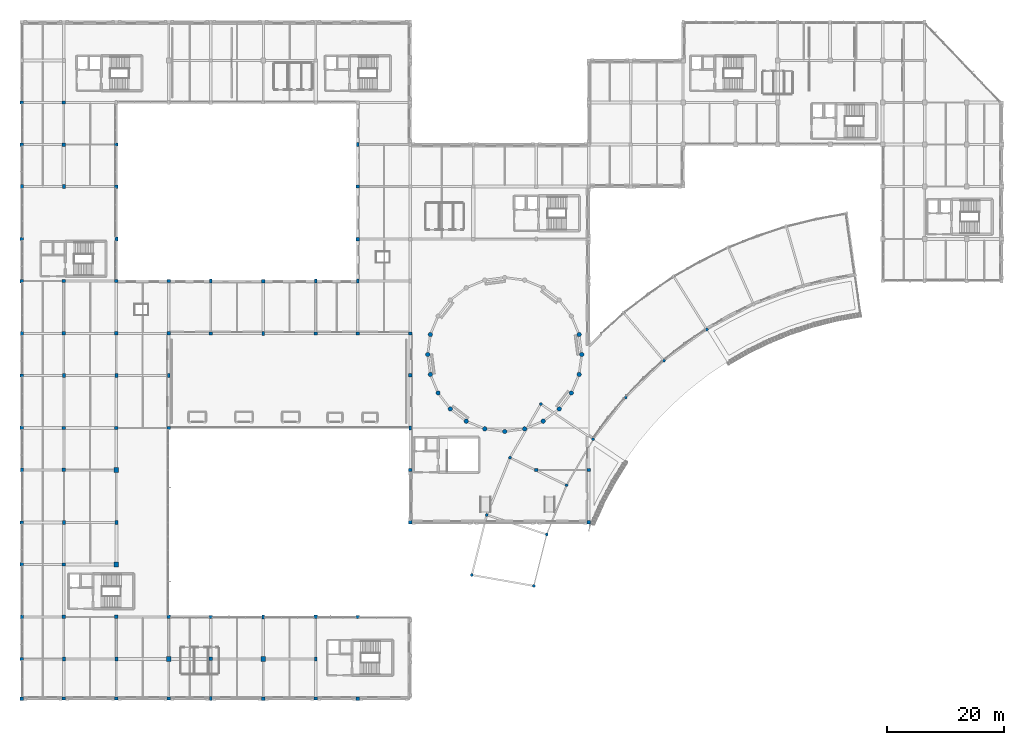
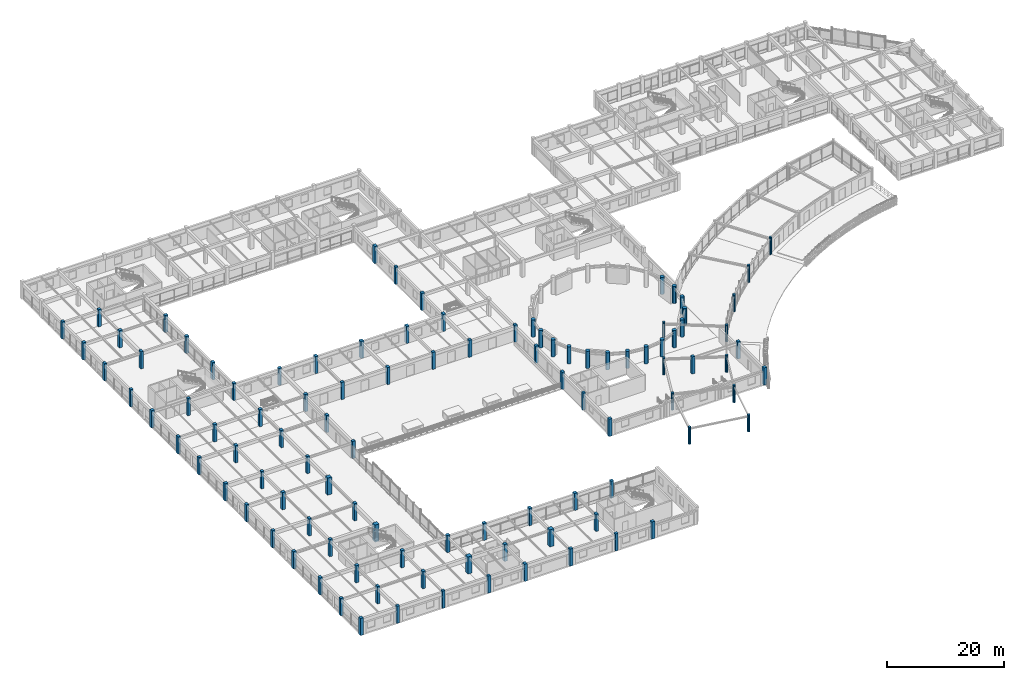
# One storey, part 1 of 74: 103 columns.
"""IFC4 building model written with IfcOpenShell, lengths in metres."""

from ifc_helpers import new_model, si_unit, direction, frame, origin, origin_2d, place, context, subcontext, project, spatial, rectangle, circle, extrude, material, material_profile, profile_set, type_object, element, save


model = new_model("IFC4")

# Units and contexts
model_context = context("Model", 3, precision=1e-05, world=origin(), true_north=direction((0.0, 1.0)))
body_context = subcontext(model_context, "Body", "Model", "MODEL_VIEW")
ifc_project = project(units=[si_unit("LENGTHUNIT", "METRE"), si_unit("AREAUNIT", "SQUARE_METRE"), si_unit("VOLUMEUNIT", "CUBIC_METRE"), si_unit("PLANEANGLEUNIT", "RADIAN"), si_unit("MASSUNIT", "GRAM", prefix="KILO")], contexts=[model_context])

# Site, building, storey
site_placement = place(None, origin())
site = spatial("IfcSite", under=ifc_project, at=site_placement, CompositionType="ELEMENT")
building_placement = place(site_placement, origin())
building = spatial("IfcBuilding", under=site, at=building_placement, Name="Clarverna Civic Hall", CompositionType="ELEMENT")
storey_placement = place(building_placement, frame((0.0, 0.0, 9.60009765625)))
storey = spatial("IfcBuildingStorey", under=building, at=storey_placement, Name="L02", CompositionType="ELEMENT", Elevation=9.60009765625)

# Columns
ifc_material_1 = material(Name="Concrete C35/45", Category="concrete")
ifc_material_profile_1 = material_profile(ifc_material_1, circle(Radius=0.25, at=origin_2d()), Name="RC D500")
ifc_profile_set_1 = profile_set([ifc_material_profile_1], Name="Concrete C35/45")
column_type_1 = type_object("IfcColumnType", Name="C-CV3", PredefinedType="COLUMN", material=ifc_profile_set_1)
for number, where, z_axis, x_axis, name in (
    (1, (117.44921875, 63.292724609375, 0.0), (0.0, 0.0, 1.0), (1.0, 0.0, 0.0), "C-CV3-004"),
    (2, (110.090087890625, 57.946044921875, 0.0), (0.0, 0.0, 1.0), (1.0, 0.0, 0.0), "C-CV3-005"),
    (3, (103.547119140625, 51.627197265625, 0.0), (0.0, 0.0, 1.0), (1.0, 0.0, 0.0), "C-CV3-006"),
    (4, (97.94677734375, 44.45947265625, 0.0), (0.0, 0.0, 1.0), (1.0, 0.0, 0.0), "C-CV3-007"),
    (5, (93.398681640625, 36.581787109375, 0.0), (0.0, 0.0, 1.0), (1.0, 0.0, 0.0), "C-CV3-008"),
    (6, (89.9912109375, 28.14794921875, 0.0), (0.0, 0.0, 1.0), (1.0, 0.0, 0.0), "C-CV3-009"),
    (7, (87.79052734375, 19.322021484375, 0.0), (0.0, 0.0, 1.0), (1.0, 0.0, 0.0), "C-CV3-010"),
    (8, (88.9931640625, 50.498779296875, 0.0), (0.0, 0.0, 1.0), (1.0, 0.0, 0.0), "C-CV3-016"),
    (9, (83.691650390625, 41.316162109375, 0.0), (0.0, 0.0, 1.0), (1.0, 0.0, 0.0), "C-CV3-017"),
    (10, (79.7197265625, 31.4853515625, 0.0), (0.0, 0.0, 1.0), (1.0, 0.0, 0.0), "C-CV3-018"),
    (11, (77.154541015625, 21.197265625, 0.0), (0.0, 0.0, 1.0), (1.0, 0.0, 0.0), "C-CV3-019"),
):
    element("IfcColumn", number, at=place(storey_placement, frame(where, z_axis=z_axis, x_axis=x_axis)), inside=storey, type_object=column_type_1, Name=name, PredefinedType="COLUMN", context=body_context, shape_type="SweptSolid", body=[
        extrude(circle(Radius=0.25, at=origin_2d()), origin(), (0.0, 0.0, 1.0), 3.599853515625),
    ])
ifc_material_profile_2 = material_profile(ifc_material_1, circle(Radius=0.375, at=origin_2d()), Name="RC D750")
ifc_profile_set_2 = profile_set([ifc_material_profile_2], Name="Concrete C35/45")
column_type_2 = type_object("IfcColumnType", Name="C-DR2", PredefinedType="COLUMN", material=ifc_profile_set_2)
for number, where, z_axis, x_axis, name in (
    (12, (96.0, 59.0, 0.0), (0.0, 0.0, 1.0), (1.0, 0.0, 0.0), "C-DR2-002"),
    (13, (95.55029296875, 62.41650390625, 0.0), (0.0, 0.0, 1.0), (1.0, 0.0, 0.0), "C-DR2-004"),
    (14, (70.0498046875, 62.41650390625, 0.0), (0.0, 0.0, 1.0), (1.0, 0.0, 0.0), "C-DR2-024"),
    (15, (69.60009765625, 59.0, 0.0), (0.0, 0.0, 1.0), (1.0, 0.0, 0.0), "C-DR2-026"),
    (16, (70.0498046875, 55.58349609375, 0.0), (0.0, 0.0, 1.0), (1.0, 0.0, 0.0), "C-DR2-028"),
    (17, (71.368408203125, 52.39990234375, 0.0), (0.0, 0.0, 1.0), (1.0, 0.0, 0.0), "C-DR2-030"),
    (18, (73.46630859375, 49.666259765625, 0.0), (0.0, 0.0, 1.0), (1.0, 0.0, 0.0), "C-DR2-032"),
    (19, (76.199951171875, 47.568603515625, 0.0), (0.0, 0.0, 1.0), (1.0, 0.0, 0.0), "C-DR2-034"),
    (20, (79.383544921875, 46.249755859375, 0.0), (0.0, 0.0, 1.0), (1.0, 0.0, 0.0), "C-DR2-036"),
    (21, (82.800048828125, 45.800048828125, 0.0), (0.0, 0.0, 1.0), (1.0, 0.0, 0.0), "C-DR2-038"),
    (22, (86.21630859375, 46.249755859375, 0.0), (0.0, 0.0, 1.0), (1.0, 0.0, 0.0), "C-DR2-040"),
    (23, (89.39990234375, 47.568603515625, 0.0), (0.0, 0.0, 1.0), (1.0, 0.0, 0.0), "C-DR2-042"),
    (24, (92.1337890625, 49.666259765625, 0.0), (0.0, 0.0, 1.0), (1.0, 0.0, 0.0), "C-DR2-044"),
    (25, (94.2314453125, 52.39990234375, 0.0), (0.0, 0.0, 1.0), (1.0, 0.0, 0.0), "C-DR2-046"),
    (26, (95.55029296875, 55.58349609375, 0.0), (0.0, 0.0, 1.0), (1.0, 0.0, 0.0), "C-DR2-048"),
):
    element("IfcColumn", number, at=place(storey_placement, frame(where, z_axis=z_axis, x_axis=x_axis)), inside=storey, type_object=column_type_2, Name=name, PredefinedType="COLUMN", context=body_context, shape_type="SweptSolid", body=[
        extrude(circle(Radius=0.375, at=origin_2d()), origin(), (0.0, 0.0, 1.0), 3.599853515625),
    ])
ifc_material_profile_3 = material_profile(ifc_material_1, rectangle(XDim=0.60009765625, YDim=0.60009765625, at=origin_2d()), Name="RC 600x600")
ifc_profile_set_3 = profile_set([ifc_material_profile_3], Name="Concrete C35/45")
column_type_3 = type_object("IfcColumnType", Name="C-RC10", PredefinedType="COLUMN", material=ifc_profile_set_3)
for number, where, z_axis, x_axis, name in (
    (27, (0.0, 0.0, 0.0), (0.0, 0.0, 1.0), (1.0, 0.0, 0.0), "C-RC10-001"),
    (28, (0.0, 23.0, 0.0), (0.0, 0.0, 1.0), (1.0, 0.0, 0.0), "C-RC10-002"),
    (29, (0.0, 46.39990234375, 0.0), (0.0, 0.0, 1.0), (1.0, 0.0, 0.0), "C-RC10-003"),
    (30, (0.0, 71.60009765625, 0.0), (0.0, 0.0, 1.0), (1.0, 0.0, 0.0), "C-RC10-004"),
    (31, (0.0, 95.0, 0.0), (0.0, 0.0, 1.0), (1.0, 0.0, 0.0), "C-RC10-005"),
    (32, (7.199951171875, 14.0, 0.0), (0.0, 0.0, 1.0), (1.0, 0.0, 0.0), "C-RC10-007"),
    (33, (7.199951171875, 39.199951171875, 0.0), (0.0, 0.0, 1.0), (1.0, 0.0, 0.0), "C-RC10-008"),
    (34, (7.199951171875, 62.60009765625, 0.0), (0.0, 0.0, 1.0), (1.0, 0.0, 0.0), "C-RC10-009"),
    (35, (7.199951171875, 95.0, 0.0), (0.0, 0.0, 1.0), (1.0, 0.0, 0.0), "C-RC10-010"),
    (36, (16.199951171875, 14.0, 0.0), (0.0, 0.0, 1.0), (1.0, 0.0, 0.0), "C-RC10-012"),
    (37, (16.199951171875, 62.60009765625, 0.0), (0.0, 0.0, 1.0), (1.0, 0.0, 0.0), "C-RC10-013"),
    (38, (16.199951171875, 87.800048828125, 0.0), (0.0, 0.0, 1.0), (1.0, 0.0, 0.0), "C-RC10-014"),
    (39, (25.199951171875, 14.0, 0.0), (0.0, 0.0, 1.0), (1.0, 0.0, 0.0), "C-RC10-016"),
    (40, (25.199951171875, 62.60009765625, 0.0), (0.0, 0.0, 1.0), (1.0, 0.0, 0.0), "C-RC10-017"),
    (41, (32.39990234375, 6.800048828125, 0.0), (0.0, 0.0, 1.0), (1.0, 0.0, 0.0), "C-RC10-018"),
    (42, (41.39990234375, 0.0, 0.0), (0.0, 0.0, 1.0), (1.0, 0.0, 0.0), "C-RC10-020"),
    (43, (41.39990234375, 71.60009765625, 0.0), (0.0, 0.0, 1.0), (1.0, 0.0, 0.0), "C-RC10-021"),
    (44, (50.39990234375, 14.0, 0.0), (0.0, 0.0, 1.0), (1.0, 0.0, 0.0), "C-RC10-023"),
    (45, (57.60009765625, 0.0, 0.0), (0.0, 0.0, 1.0), (1.0, 0.0, 0.0), "C-RC10-025"),
    (46, (57.60009765625, 78.800048828125, 0.0), (0.0, 0.0, 1.0), (1.0, 0.0, 0.0), "C-RC10-026"),
    (47, (66.60009765625, 30.199951171875, 0.0), (0.0, 0.0, 1.0), (1.0, 0.0, 0.0), "C-RC10-028"),
    (48, (66.60009765625, 55.39990234375, 0.0), (0.0, 0.0, 1.0), (1.0, 0.0, 0.0), "C-RC10-029"),
    (49, (97.199951171875, 30.199951171875, 0.0), (0.0, 0.0, 1.0), (1.0, 0.0, 0.0), "C-RC10-034"),
):
    element("IfcColumn", number, at=place(storey_placement, frame(where, z_axis=z_axis, x_axis=x_axis)), inside=storey, type_object=column_type_3, Name=name, PredefinedType="COLUMN", context=body_context, shape_type="SweptSolid", body=[
        extrude(rectangle(XDim=0.60009765625, YDim=0.60009765625, at=origin_2d()), origin(), (0.0, 0.0, 1.0), 3.599853515625),
    ])
ifc_material_profile_4 = material_profile(ifc_material_1, rectangle(XDim=0.550048828125, YDim=0.550048828125, at=origin_2d()), Name="RC 550x550")
ifc_profile_set_4 = profile_set([ifc_material_profile_4], Name="Concrete C35/45")
column_type_4 = type_object("IfcColumnType", Name="C-RC11", PredefinedType="COLUMN", material=ifc_profile_set_4)
for number, where, z_axis, x_axis, name in (
    (50, (0.0, 6.800048828125, 0.0), (0.0, 0.0, 1.0), (1.0, 0.0, 0.0), "C-RC11-001"),
    (51, (0.0, 30.199951171875, 0.0), (0.0, 0.0, 1.0), (1.0, 0.0, 0.0), "C-RC11-002"),
    (52, (0.0, 55.39990234375, 0.0), (0.0, 0.0, 1.0), (1.0, 0.0, 0.0), "C-RC11-003"),
    (53, (0.0, 78.800048828125, 0.0), (0.0, 0.0, 1.0), (1.0, 0.0, 0.0), "C-RC11-004"),
    (54, (0.0, 102.199951171875, 0.0), (0.0, 0.0, 1.0), (1.0, 0.0, 0.0), "C-RC11-005"),
    (55, (7.199951171875, 0.0, 0.0), (0.0, 0.0, 1.0), (1.0, 0.0, 0.0), "C-RC11-006"),
    (56, (7.199951171875, 23.0, 0.0), (0.0, 0.0, 1.0), (1.0, 0.0, 0.0), "C-RC11-007"),
    (57, (7.199951171875, 46.39990234375, 0.0), (0.0, 0.0, 1.0), (1.0, 0.0, 0.0), "C-RC11-008"),
    (58, (7.199951171875, 71.60009765625, 0.0), (0.0, 0.0, 1.0), (1.0, 0.0, 0.0), "C-RC11-009"),
    (59, (7.199951171875, 102.199951171875, 0.0), (0.0, 0.0, 1.0), (1.0, 0.0, 0.0), "C-RC11-010"),
    (60, (16.199951171875, 0.0, 0.0), (0.0, 0.0, 1.0), (1.0, 0.0, 0.0), "C-RC11-011"),
    (61, (16.199951171875, 46.39990234375, 0.0), (0.0, 0.0, 1.0), (1.0, 0.0, 0.0), "C-RC11-012"),
    (62, (16.199951171875, 71.60009765625, 0.0), (0.0, 0.0, 1.0), (1.0, 0.0, 0.0), "C-RC11-013"),
    (63, (16.199951171875, 95.0, 0.0), (0.0, 0.0, 1.0), (1.0, 0.0, 0.0), "C-RC11-014"),
    (64, (25.199951171875, 0.0, 0.0), (0.0, 0.0, 1.0), (1.0, 0.0, 0.0), "C-RC11-015"),
    (65, (25.199951171875, 46.39990234375, 0.0), (0.0, 0.0, 1.0), (1.0, 0.0, 0.0), "C-RC11-016"),
    (66, (25.199951171875, 71.60009765625, 0.0), (0.0, 0.0, 1.0), (1.0, 0.0, 0.0), "C-RC11-017"),
    (67, (32.39990234375, 14.0, 0.0), (0.0, 0.0, 1.0), (1.0, 0.0, 0.0), "C-RC11-019"),
    (68, (32.39990234375, 62.60009765625, 0.0), (0.0, 0.0, 1.0), (1.0, 0.0, 0.0), "C-RC11-020"),
    (69, (50.39990234375, 0.0, 0.0), (0.0, 0.0, 1.0), (1.0, 0.0, 0.0), "C-RC11-023"),
    (70, (50.39990234375, 62.60009765625, 0.0), (0.0, 0.0, 1.0), (1.0, 0.0, 0.0), "C-RC11-024"),
    (71, (57.60009765625, 14.0, 0.0), (0.0, 0.0, 1.0), (1.0, 0.0, 0.0), "C-RC11-026"),
    (72, (57.60009765625, 62.60009765625, 0.0), (0.0, 0.0, 1.0), (1.0, 0.0, 0.0), "C-RC11-027"),
    (73, (57.60009765625, 87.800048828125, 0.0), (0.0, 0.0, 1.0), (1.0, 0.0, 0.0), "C-RC11-028"),
    (74, (66.60009765625, 39.199951171875, 0.0), (0.0, 0.0, 1.0), (1.0, 0.0, 0.0), "C-RC11-030"),
    (75, (66.60009765625, 62.60009765625, 0.0), (0.0, 0.0, 1.0), (1.0, 0.0, 0.0), "C-RC11-031"),
    (76, (88.199951171875, 39.199951171875, 0.0), (0.0, 0.0, 1.0), (1.0, 0.0, 0.0), "C-RC11-035"),
    (77, (97.199951171875, 39.199951171875, 0.0), (0.0, 0.0, 1.0), (1.0, 0.0, 0.0), "C-RC11-037"),
):
    element("IfcColumn", number, at=place(storey_placement, frame(where, z_axis=z_axis, x_axis=x_axis)), inside=storey, type_object=column_type_4, Name=name, PredefinedType="COLUMN", context=body_context, shape_type="SweptSolid", body=[
        extrude(rectangle(XDim=0.550048828125, YDim=0.550048828125, at=origin_2d()), origin(), (0.0, 0.0, 1.0), 3.599853515625),
    ])
ifc_material_profile_5 = material_profile(ifc_material_1, rectangle(XDim=0.5, YDim=0.699951171875, at=origin_2d()), Name="RC 500x700")
ifc_profile_set_5 = profile_set([ifc_material_profile_5], Name="Concrete C35/45")
column_type_5 = type_object("IfcColumnType", Name="C-RC17", PredefinedType="COLUMN", material=ifc_profile_set_5)
for number, where, z_axis, x_axis, name in (
    (78, (0.0, 14.0, 0.0), (0.0, 0.0, 1.0), (1.0, 0.0, 0.0), "C-RC17-001"),
    (79, (0.0, 39.199951171875, 0.0), (0.0, 0.0, 1.0), (1.0, 0.0, 0.0), "C-RC17-002"),
    (80, (0.0, 62.60009765625, 0.0), (0.0, 0.0, 1.0), (1.0, 0.0, 0.0), "C-RC17-003"),
    (81, (0.0, 87.800048828125, 0.0), (0.0, 0.0, 1.0), (1.0, 0.0, 0.0), "C-RC17-004"),
    (82, (7.199951171875, 6.800048828125, 0.0), (0.0, 0.0, 1.0), (1.0, 0.0, 0.0), "C-RC17-006"),
    (83, (7.199951171875, 30.199951171875, 0.0), (0.0, 0.0, 1.0), (1.0, 0.0, 0.0), "C-RC17-007"),
    (84, (7.199951171875, 55.39990234375, 0.0), (0.0, 0.0, 1.0), (1.0, 0.0, 0.0), "C-RC17-008"),
    (85, (7.199951171875, 87.800048828125, 0.0), (0.0, 0.0, 1.0), (1.0, 0.0, 0.0), "C-RC17-009"),
    (86, (16.199951171875, 6.800048828125, 0.0), (0.0, 0.0, 1.0), (1.0, 0.0, 0.0), "C-RC17-011"),
    (87, (16.199951171875, 30.199951171875, 0.0), (0.0, 0.0, 1.0), (1.0, 0.0, 0.0), "C-RC17-012"),
    (88, (16.199951171875, 55.39990234375, 0.0), (0.0, 0.0, 1.0), (1.0, 0.0, 0.0), "C-RC17-013"),
    (89, (16.199951171875, 78.800048828125, 0.0), (0.0, 0.0, 1.0), (1.0, 0.0, 0.0), "C-RC17-014"),
    (90, (25.199951171875, 55.39990234375, 0.0), (0.0, 0.0, 1.0), (1.0, 0.0, 0.0), "C-RC17-016"),
    (91, (32.39990234375, 0.0, 0.0), (0.0, 0.0, 1.0), (1.0, 0.0, 0.0), "C-RC17-018"),
    (92, (32.39990234375, 71.60009765625, 0.0), (0.0, 0.0, 1.0), (1.0, 0.0, 0.0), "C-RC17-019"),
    (93, (41.39990234375, 14.0, 0.0), (0.0, 0.0, 1.0), (1.0, 0.0, 0.0), "C-RC17-021"),
    (94, (41.39990234375, 62.60009765625, 0.0), (0.0, 0.0, 1.0), (1.0, 0.0, 0.0), "C-RC17-022"),
    (95, (50.39990234375, 6.800048828125, 0.0), (0.0, 0.0, 1.0), (1.0, 0.0, 0.0), "C-RC17-023"),
    (96, (50.39990234375, 71.60009765625, 0.0), (0.0, 0.0, 1.0), (1.0, 0.0, 0.0), "C-RC17-024"),
    (97, (57.60009765625, 71.60009765625, 0.0), (0.0, 0.0, 1.0), (1.0, 0.0, 0.0), "C-RC17-026"),
    (98, (57.60009765625, 95.0, 0.0), (0.0, 0.0, 1.0), (1.0, 0.0, 0.0), "C-RC17-027"),
    (99, (66.60009765625, 46.39990234375, 0.0), (0.0, 0.0, 1.0), (1.0, 0.0, 0.0), "C-RC17-028"),
):
    element("IfcColumn", number, at=place(storey_placement, frame(where, z_axis=z_axis, x_axis=x_axis)), inside=storey, type_object=column_type_5, Name=name, PredefinedType="COLUMN", context=body_context, shape_type="SweptSolid", body=[
        extrude(rectangle(XDim=0.5, YDim=0.699951171875, at=origin_2d()), origin(), (0.0, 0.0, 1.0), 3.599853515625),
    ])
ifc_material_2 = material(Name="Concrete C40/50", Category="concrete")
ifc_material_profile_6 = material_profile(ifc_material_2, rectangle(XDim=0.800048828125, YDim=0.800048828125, at=origin_2d()), Name="RC 800x800")
ifc_profile_set_6 = profile_set([ifc_material_profile_6], Name="Concrete C40/50")
column_type_6 = type_object("IfcColumnType", Name="C-RC4", PredefinedType="COLUMN", material=ifc_profile_set_6)
for number, where, z_axis, x_axis, name in (
    (100, (16.199951171875, 23.0, 0.0), (0.0, 0.0, 1.0), (1.0, 0.0, 0.0), "C-RC4-013"),
    (101, (16.199951171875, 39.199951171875, 0.0), (0.0, 0.0, 1.0), (1.0, 0.0, 0.0), "C-RC4-014"),
    (102, (25.199951171875, 6.800048828125, 0.0), (0.0, 0.0, 1.0), (1.0, 0.0, 0.0), "C-RC4-018"),
    (103, (41.39990234375, 6.800048828125, 0.0), (0.0, 0.0, 1.0), (1.0, 0.0, 0.0), "C-RC4-026"),
):
    element("IfcColumn", number, at=place(storey_placement, frame(where, z_axis=z_axis, x_axis=x_axis)), inside=storey, type_object=column_type_6, Name=name, PredefinedType="COLUMN", context=body_context, shape_type="SweptSolid", body=[
        extrude(rectangle(XDim=0.800048828125, YDim=0.800048828125, at=origin_2d()), origin(), (0.0, 0.0, 1.0), 3.599853515625),
    ])

save(model, "model.ifc")
